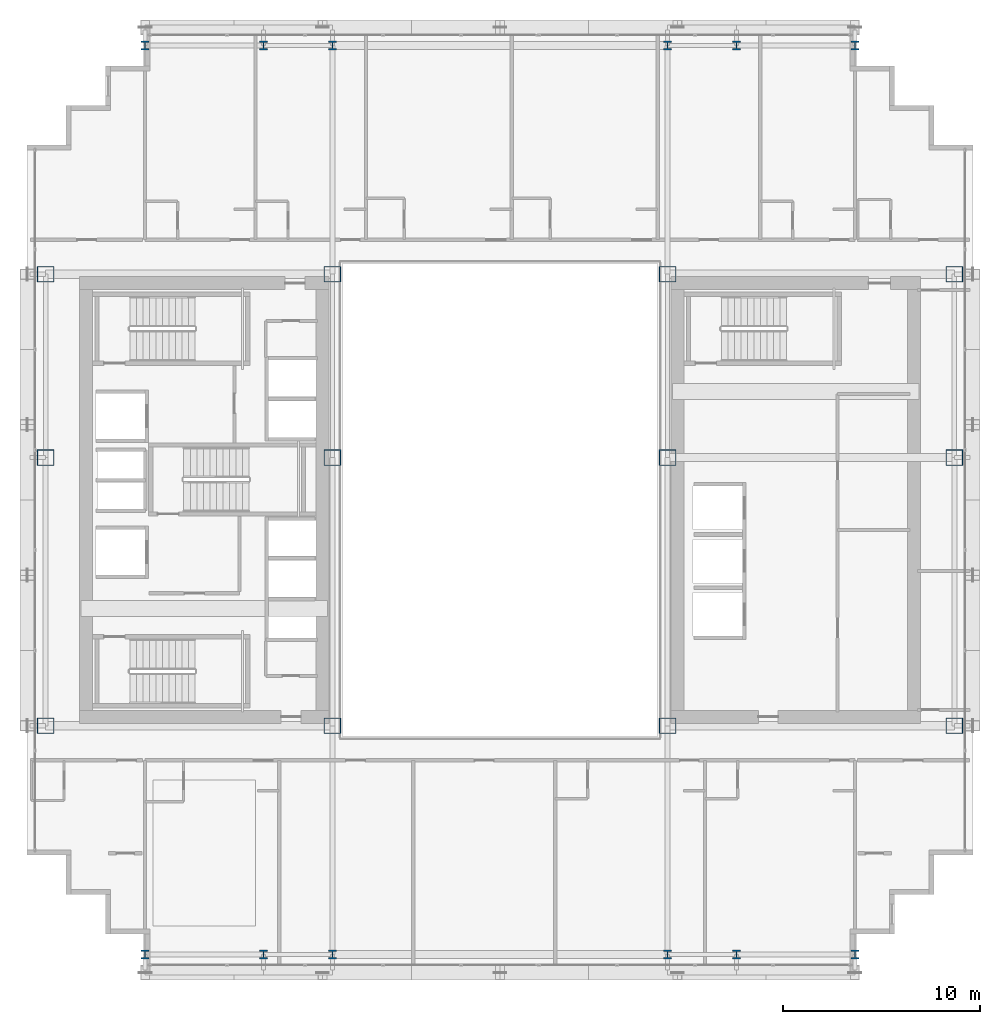
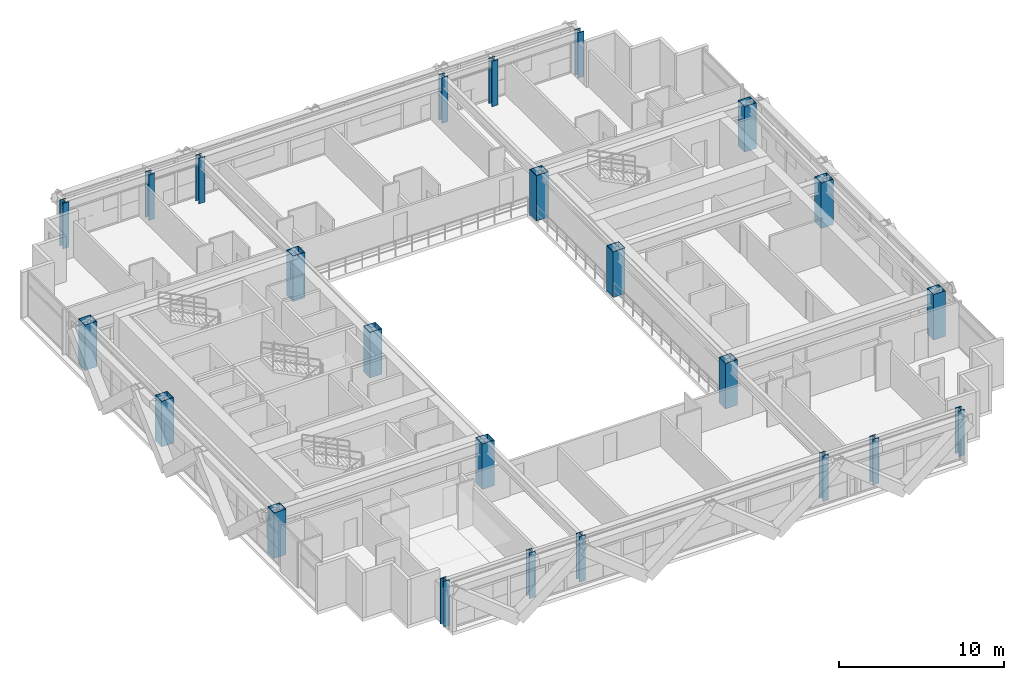
# One storey, part 1 of 35: 24 columns.
"""IFC4 building model written with IfcOpenShell, lengths in metres."""

from ifc_helpers import new_model, si_unit, direction, frame, origin, origin_2d, place, context, subcontext, project, spatial, hollow_rectangle, i_section, extrude, source, transform, mapped, material, material_profile, profile_set, type_object, element, save


model = new_model("IFC4")

# Units and contexts
model_context = context("Model", 3, precision=1e-05, world=origin(), true_north=direction((0.0, 1.0)))
body_context = subcontext(model_context, "Body", "Model", "MODEL_VIEW")
ifc_project = project(units=[si_unit("LENGTHUNIT", "METRE"), si_unit("AREAUNIT", "SQUARE_METRE"), si_unit("VOLUMEUNIT", "CUBIC_METRE"), si_unit("PLANEANGLEUNIT", "RADIAN"), si_unit("MASSUNIT", "GRAM", prefix="KILO")], contexts=[model_context])

# Site, building, storey
site_placement = place(None, origin())
site = spatial("IfcSite", under=ifc_project, at=site_placement, CompositionType="ELEMENT")
building_placement = place(site_placement, origin())
building = spatial("IfcBuilding", under=site, at=building_placement, Name="Ocotamira Hotel", CompositionType="ELEMENT")
storey_placement = place(building_placement, frame((0.0, 0.0, 144.0)))
storey = spatial("IfcBuildingStorey", under=building, at=storey_placement, Name="L36", CompositionType="ELEMENT", Elevation=144.0)

# Columns
ifc_material = material(Name="Steel ASTM A913 Grade 65", Category="steel")
ifc_material_profile_1 = material_profile(ifc_material, hollow_rectangle(XDim=0.85009765625, YDim=0.800048828125, WallThickness=0.031982421875, at=origin_2d()), Name="BOX800X850X32")
ifc_profile_set_1 = profile_set([ifc_material_profile_1], Name="Steel ASTM A913 Grade 65")
column_type_1 = type_object("IfcColumnType", Name="COL-BOX800", PredefinedType="COLUMN", material=ifc_profile_set_1)
shared_shape_1 = source(origin(), body_context, "Body", "SweptSolid", [
    extrude(hollow_rectangle(XDim=0.85009765625, YDim=0.800048828125, WallThickness=0.031982421875, at=origin_2d()), origin(), (0.0, 0.0, 1.0), 3.360107421875),
])
for number, where, z_axis, x_axis, name in (
    (1, (8.949951171875, 14.550048828125, 0.0), (0.0, 0.0, 1.0), (1.0, 0.0, 0.0), "L36 Column TW8_14"),
    (2, (23.5, 14.550048828125, 0.0), (0.0, 0.0, 1.0), (1.0, 0.0, 0.0), "L36 Column TW23_14"),
    (3, (40.5, 14.550048828125, 0.0), (0.0, 0.0, 1.0), (1.0, 0.0, 0.0), "L36 Column TE40_14"),
    (4, (55.050048828125, 14.550048828125, 0.0), (0.0, 0.0, 1.0), (1.0, 0.0, 0.0), "L36 Column TE55_14"),
    (5, (8.949951171875, 28.14990234375, 0.0), (0.0, 0.0, 1.0), (1.0, 0.0, 0.0), "L36 Column TW8_28"),
    (6, (23.5, 28.14990234375, 0.0), (0.0, 0.0, 1.0), (1.0, 0.0, 0.0), "L36 Column TW23_28"),
    (7, (40.5, 28.14990234375, 0.0), (0.0, 0.0, 1.0), (1.0, 0.0, 0.0), "L36 Column TE40_28"),
    (8, (55.050048828125, 28.14990234375, 0.0), (0.0, 0.0, 1.0), (1.0, 0.0, 0.0), "L36 Column TE55_28"),
    (9, (8.949951171875, 37.449951171875, 0.0), (0.0, 0.0, 1.0), (1.0, 0.0, 0.0), "L36 Column TW8_37"),
    (10, (23.5, 37.449951171875, 0.0), (0.0, 0.0, 1.0), (1.0, 0.0, 0.0), "L36 Column TW23_37"),
    (11, (40.5, 37.449951171875, 0.0), (0.0, 0.0, 1.0), (1.0, 0.0, 0.0), "L36 Column TE40_37"),
    (12, (55.050048828125, 37.449951171875, 0.0), (0.0, 0.0, 1.0), (1.0, 0.0, 0.0), "L36 Column TE55_37"),
):
    element("IfcColumn", number, at=place(storey_placement, frame(where, z_axis=z_axis, x_axis=x_axis)), inside=storey, type_object=column_type_1, Name=name, PredefinedType="COLUMN", context=body_context, shape_type="MappedRepresentation", body=[
        mapped(shared_shape_1, transform((0.0, 0.0, 0.0), scale=1.0)),
    ])
ifc_material_profile_2 = material_profile(ifc_material, i_section(OverallWidth=0.412109375, OverallDepth=0.43505859375, WebThickness=0.035888671875, FlangeThickness=0.057373046875, FilletRadius=0.02490234375, at=origin_2d()), Name="W14X311")
ifc_profile_set_2 = profile_set([ifc_material_profile_2], Name="Steel ASTM A913 Grade 65")
column_type_2 = type_object("IfcColumnType", Name="COL-W14X311", PredefinedType="COLUMN", material=ifc_profile_set_2)
shared_shape_2 = source(origin(), body_context, "Body", "SweptSolid", [
    extrude(i_section(OverallWidth=0.412109375, OverallDepth=0.43505859375, WebThickness=0.035888671875, FlangeThickness=0.057373046875, FilletRadius=0.02490234375, at=origin_2d()), origin(), (0.0, 0.0, 1.0), 3.360107421875),
])
for number, where, z_axis, x_axis, name in (
    (13, (14.0, 2.949951171875, 0.0), (0.0, 0.0, 1.0), (1.0, 0.0, 0.0), "L36 Column NSP1_14"),
    (14, (20.0, 2.949951171875, 0.0), (0.0, 0.0, 1.0), (1.0, 0.0, 0.0), "L36 Column NSP1_20"),
    (15, (23.5, 2.949951171875, 0.0), (0.0, 0.0, 1.0), (1.0, 0.0, 0.0), "L36 Column NSP1_23"),
    (16, (40.5, 2.949951171875, 0.0), (0.0, 0.0, 1.0), (1.0, 0.0, 0.0), "L36 Column NSP1_40"),
    (17, (44.0, 2.949951171875, 0.0), (0.0, 0.0, 1.0), (1.0, 0.0, 0.0), "L36 Column NSP1_44"),
    (18, (50.0, 2.949951171875, 0.0), (0.0, 0.0, 1.0), (1.0, 0.0, 0.0), "L36 Column NSP1_50"),
    (19, (14.0, 49.050048828125, 0.0), (0.0, 0.0, 1.0), (1.0, 0.0, 0.0), "L36 Column NSP2_14"),
    (20, (20.0, 49.050048828125, 0.0), (0.0, 0.0, 1.0), (1.0, 0.0, 0.0), "L36 Column NSP2_20"),
    (21, (23.5, 49.050048828125, 0.0), (0.0, 0.0, 1.0), (1.0, 0.0, 0.0), "L36 Column NSP2_23"),
    (22, (40.5, 49.050048828125, 0.0), (0.0, 0.0, 1.0), (1.0, 0.0, 0.0), "L36 Column NSP2_40"),
    (23, (44.0, 49.050048828125, 0.0), (0.0, 0.0, 1.0), (1.0, 0.0, 0.0), "L36 Column NSP2_44"),
    (24, (50.0, 49.050048828125, 0.0), (0.0, 0.0, 1.0), (1.0, 0.0, 0.0), "L36 Column NSP2_50"),
):
    element("IfcColumn", number, at=place(storey_placement, frame(where, z_axis=z_axis, x_axis=x_axis)), inside=storey, type_object=column_type_2, Name=name, PredefinedType="COLUMN", context=body_context, shape_type="MappedRepresentation", body=[
        mapped(shared_shape_2, transform((0.0, 0.0, 0.0), scale=1.0)),
    ])

save(model, "model.ifc")
